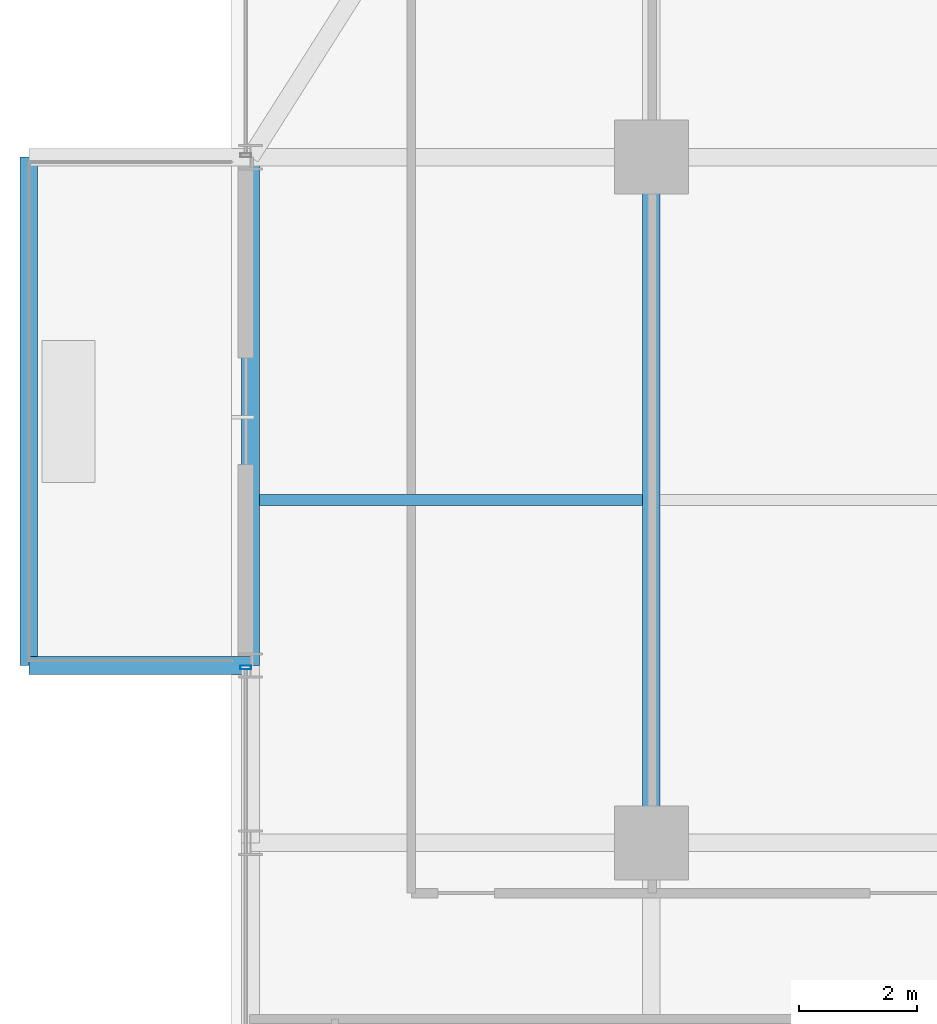
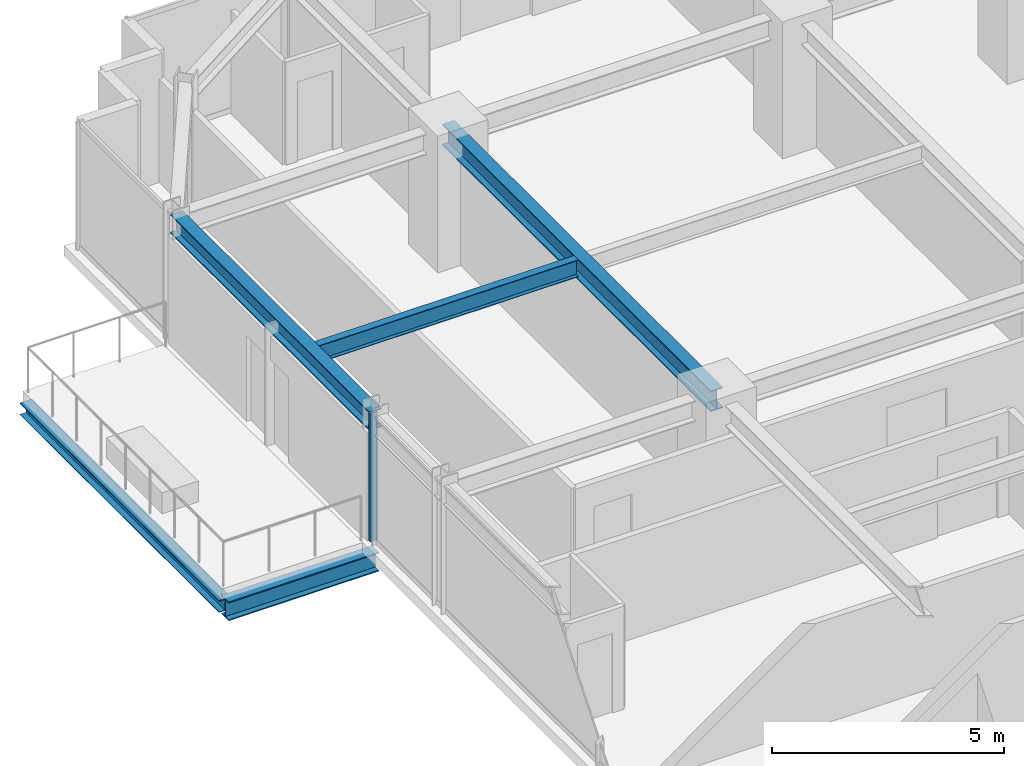
# One storey, part 16 of 35: 5 beams, 1 member, 1 element without a shape of its own.
"""IFC4 building model written with IfcOpenShell, lengths in metres."""

from ifc_helpers import new_model, si_unit, direction, frame, origin, origin_2d, place, context, subcontext, project, spatial, hollow_rectangle, i_section, extrude, source, transform, mapped, material, material_profile, profile_set, type_object, element, aggregate, save


model = new_model("IFC4")

# Units and contexts
model_context = context("Model", 3, precision=1e-05, world=origin(), true_north=direction((0.0, 1.0)))
body_context = subcontext(model_context, "Body", "Model", "MODEL_VIEW")
ifc_project = project(units=[si_unit("LENGTHUNIT", "METRE"), si_unit("AREAUNIT", "SQUARE_METRE"), si_unit("VOLUMEUNIT", "CUBIC_METRE"), si_unit("PLANEANGLEUNIT", "RADIAN"), si_unit("MASSUNIT", "GRAM", prefix="KILO")], contexts=[model_context])

# Site, building, storey
site_placement = place(None, origin())
site = spatial("IfcSite", under=ifc_project, at=site_placement, CompositionType="ELEMENT")
building_placement = place(site_placement, origin())
building = spatial("IfcBuilding", under=site, at=building_placement, Name="Nahalor Promenade Grand Hotel", CompositionType="ELEMENT")
storey_placement = place(building_placement, frame((0.0, 0.0, 121.14990234375)))
storey = spatial("IfcBuildingStorey", under=building, at=storey_placement, Name="L30", CompositionType="ELEMENT", Elevation=121.14990234375)

# Beams
ifc_material_1 = material(Name="Steel S355JR", Category="steel")
ifc_material_profile_1 = material_profile(ifc_material_1, i_section(OverallWidth=0.3, OverallDepth=0.32, WebThickness=0.0115, FlangeThickness=0.0205, at=origin_2d()), Name="HEB 320")
ifc_profile_set_1 = profile_set([ifc_material_profile_1], Name="Steel S355JR")
beam_type_1 = type_object("IfcBeamType", Name="Beam-BalcEdge-HEB320", PredefinedType="SPANDREL", material=ifc_profile_set_1)
shared_shape_1 = source(origin(), body_context, "Body", "SweptSolid", [
    extrude(i_section(OverallWidth=0.3, OverallDepth=0.32, WebThickness=0.0115, FlangeThickness=0.0205, at=origin_2d()), origin(), (0.0, 0.0, 1.0), 8.60009765625),
])
beam_1_placement = place(storey_placement, frame((-27.530029296875, 8.39990234375, -0.43994140625), z_axis=(0.0, 1.0, 0.0), x_axis=(-1.0, 0.0, 0.0)))
element("IfcBeam", 1, at=beam_1_placement, inside=storey, type_object=beam_type_1, Name="BM-L30-BC-02-F", PredefinedType="SPANDREL", context=body_context, shape_type="MappedRepresentation", body=[
    mapped(shared_shape_1, transform((0.0, 0.0, 0.0), scale=1.0)),
])
ifc_material_profile_2 = material_profile(ifc_material_1, i_section(OverallWidth=0.3, OverallDepth=0.5, WebThickness=0.0145, FlangeThickness=0.028, at=origin_2d()), Name="HEB 500")
ifc_profile_set_2 = profile_set([ifc_material_profile_2], Name="Steel S355JR")
beam_type_2 = type_object("IfcBeamType", Name="Beam-Outrigger-HEB500", PredefinedType="BEAM", material=ifc_profile_set_2)
shared_shape_2 = source(origin(), body_context, "Body", "SweptSolid", [
    extrude(i_section(OverallWidth=0.3, OverallDepth=0.5, WebThickness=0.0145, FlangeThickness=0.028, at=origin_2d()), origin(), (0.0, 0.0, 1.0), 3.75),
])
beam_2_placement = place(storey_placement, frame((-27.530029296875, 8.39990234375, -0.52978515625), z_axis=(1.0, 0.0, 0.0), x_axis=(0.0, 1.0, 0.0)))
element("IfcBeam", 2, at=beam_2_placement, inside=storey, type_object=beam_type_2, Name="BM-L30-BC-02-1", PredefinedType="BEAM", context=body_context, shape_type="MappedRepresentation", body=[
    mapped(shared_shape_2, transform((0.0, 0.0, 0.0), scale=1.0)),
])
ifc_material_profile_3 = material_profile(ifc_material_1, i_section(OverallWidth=0.3, OverallDepth=0.5, WebThickness=0.0145, FlangeThickness=0.028, at=origin_2d()), Name="HEB 500")
ifc_profile_set_3 = profile_set([ifc_material_profile_3], Name="Steel S355JR")
beam_type_3 = type_object("IfcBeamType", Name="Beam-Spandrel-HEB500", PredefinedType="SPANDREL", material=ifc_profile_set_3)
shared_shape_3 = source(origin(), body_context, "Body", "SweptSolid", [
    extrude(i_section(OverallWidth=0.3, OverallDepth=0.5, WebThickness=0.0145, FlangeThickness=0.028, at=origin_2d()), origin(), (0.0, 0.0, 1.0), 8.60009765625),
])
beam_3_placement = place(storey_placement, frame((-23.780029296875, 8.39990234375, 3.130126953125), z_axis=(0.0, 1.0, 0.0), x_axis=(-1.0, 0.0, 0.0)))
element("IfcBeam", 3, at=beam_3_placement, inside=storey, type_object=beam_type_3, Name="BM-L30-SP-W-4", PredefinedType="SPANDREL", context=body_context, shape_type="MappedRepresentation", body=[
    mapped(shared_shape_3, transform((0.0, 0.0, 0.0), scale=1.0)),
])
ifc_material_profile_4 = material_profile(ifc_material_1, i_section(OverallWidth=0.3, OverallDepth=0.55, WebThickness=0.015, FlangeThickness=0.029, at=origin_2d()), Name="HEB 550")
ifc_profile_set_4 = profile_set([ifc_material_profile_4], Name="Steel S355JR")
beam_type_4 = type_object("IfcBeamType", Name="Beam-Girder-HEB550", PredefinedType="BEAM", material=ifc_profile_set_4)
shared_shape_4 = source(origin(), body_context, "Body", "SweptSolid", [
    extrude(i_section(OverallWidth=0.3, OverallDepth=0.55, WebThickness=0.015, FlangeThickness=0.029, at=origin_2d()), origin(), (0.0, 0.0, 1.0), 11.60009765625),
])
beam_4_placement = place(storey_placement, frame((-17.0, 5.39990234375, 3.10498046875), z_axis=(0.0, 1.0, 0.0), x_axis=(-1.0, 0.0, 0.0)))
element("IfcBeam", 4, at=beam_4_placement, inside=storey, type_object=beam_type_4, Name="BM-L30-GY-0-3", PredefinedType="BEAM", context=body_context, shape_type="MappedRepresentation", body=[
    mapped(shared_shape_4, transform((0.0, 0.0, 0.0), scale=1.0)),
])
ifc_material_profile_5 = material_profile(ifc_material_1, i_section(OverallWidth=0.19, OverallDepth=0.45, WebThickness=0.0094, FlangeThickness=0.0146, at=origin_2d()), Name="IPE 450")
ifc_profile_set_5 = profile_set([ifc_material_profile_5], Name="Steel S355JR")
beam_type_5 = type_object("IfcBeamType", Name="Beam-Joist-IPE450", PredefinedType="JOIST", material=ifc_profile_set_5)
shared_shape_5 = source(origin(), body_context, "Body", "SweptSolid", [
    extrude(i_section(OverallWidth=0.19, OverallDepth=0.45, WebThickness=0.0094, FlangeThickness=0.0146, at=origin_2d()), origin(), (0.0, 0.0, 1.0), 6.47998046875),
])
beam_5_placement = place(storey_placement, frame((-23.6298828125, 11.199951171875, 3.155029296875), z_axis=(1.0, 0.0, 0.0), x_axis=(0.0, 1.0, 0.0)))
element("IfcBeam", 5, at=beam_5_placement, inside=storey, type_object=beam_type_5, Name="BM-L30-JSW-1-0", PredefinedType="JOIST", context=body_context, shape_type="MappedRepresentation", body=[
    mapped(shared_shape_5, transform((0.0, 0.0, 0.0), scale=1.0)),
])

# Curtain wall, member
ifc_material_2 = material(Name="Anodised Bronze Aluminium EN AW-6063 T6", Category="aluminium")
curtain_wall_type = type_object("IfcCurtainWallType", Name="CW2 Typical Hotel Flush Bronze Unitised Curtain Wall", PredefinedType="USERDEFINED", material=ifc_material_2)
curtain_wall_placement = place(storey_placement, origin())
curtain_wall = element("IfcCurtainWall", 6, at=curtain_wall_placement, inside=storey, type_object=curtain_wall_type, Name="L30 Curtain Wall CW-L30-W-1", ObjectType="UNITISED_CURTAIN_WALL", PredefinedType="USERDEFINED")
ifc_material_profile_6 = material_profile(ifc_material_2, hollow_rectangle(XDim=0.065, YDim=0.18, WallThickness=0.004, at=origin_2d()), Name="CWM 65x180x4")
ifc_profile_set_6 = profile_set([ifc_material_profile_6], Name="Anodised Bronze Aluminium EN AW-6063 T6")
member_type = type_object("IfcMemberType", Name="CWM2 Typical Bronze Mullion 65x180", PredefinedType="MULLION", material=ifc_profile_set_6)
shared_shape_6 = source(origin(), body_context, "Body", "SweptSolid", [
    extrude(hollow_rectangle(XDim=0.065, YDim=0.18, WallThickness=0.004, at=origin_2d()), origin(), (0.0, 0.0, 1.0), 3.380126953125),
])
member_placement = place(storey_placement, frame((-23.860107421875, 8.367431640625, 0.0), z_axis=(0.0, 0.0, 1.0), x_axis=(0.0, 1.0, 0.0)))
member = element("IfcMember", 7, at=member_placement, type_object=member_type, Name="CW-L30-W-1 Mullion 3", PredefinedType="MULLION", context=body_context, shape_type="MappedRepresentation", body=[
    mapped(shared_shape_6, transform((0.0, 0.0, 0.0), scale=1.0)),
])
aggregate(curtain_wall, [member])

save(model, "model.ifc")
